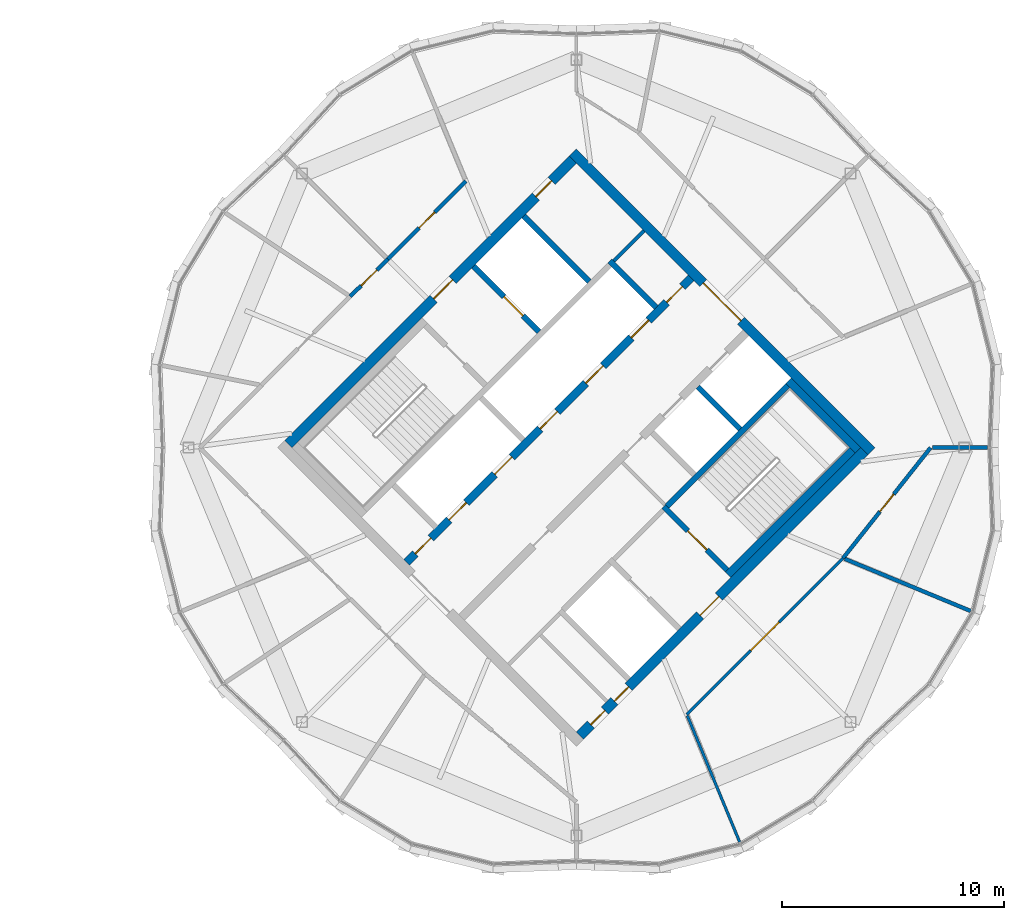
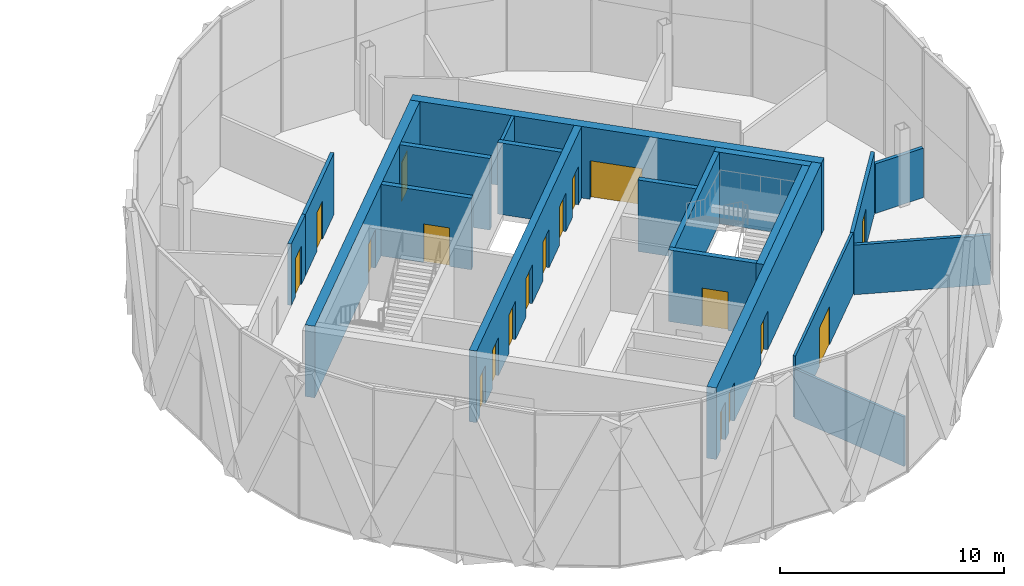
# One storey, part 19 of 24: 20 walls, 19 doors, 19 openings.
"""IFC4 building model written with IfcOpenShell, lengths in metres."""

from ifc_helpers import new_model, si_unit, direction, frame, frame_2d, origin, place, context, subcontext, project, spatial, rectangle, extrude, material, layer, layer_set, type_object, element, fill, save


model = new_model("IFC4")

# Units and contexts
model_context = context("Model", 3, precision=1e-05, world=origin(), true_north=direction((0.0, 1.0)))
body_context = subcontext(model_context, "Body", "Model", "MODEL_VIEW")
ifc_project = project(units=[si_unit("LENGTHUNIT", "METRE"), si_unit("AREAUNIT", "SQUARE_METRE"), si_unit("VOLUMEUNIT", "CUBIC_METRE"), si_unit("PLANEANGLEUNIT", "RADIAN"), si_unit("MASSUNIT", "GRAM", prefix="KILO")], contexts=[model_context])

# Site, building, storey
site_placement = place(None, origin())
site = spatial("IfcSite", under=ifc_project, at=site_placement, CompositionType="ELEMENT")
building_placement = place(site_placement, origin())
building = spatial("IfcBuilding", under=site, at=building_placement, Name="Ogive Gate Towers", CompositionType="ELEMENT")
storey_placement = place(building_placement, frame((0.0, 0.0, 277.199951171875)))
storey = spatial("IfcBuildingStorey", under=building, at=storey_placement, Name="L65", CompositionType="ELEMENT", Elevation=277.199951171875)

# Walls
ifc_material_1 = material(Name="Gypsum board acoustic partition")
ifc_layer_1 = layer(ifc_material_1, 0.175048828125)
ifc_layer_set_1 = layer_set([ifc_layer_1], Name="Acoustic partition 175")
wall_type_1 = type_object("IfcWallType", Name="Acoustic partition 175", PredefinedType="PARTITIONING", material=ifc_layer_set_1)
wall_1_placement = place(storey_placement, frame((54.509033203125, 0.0, 0.0), z_axis=(0.0, 0.0, 1.0), x_axis=(-1.0, 0.0, 0.0)))
element("IfcWall", 1, at=wall_1_placement, inside=storey, type_object=wall_type_1, Name="Partition T2-L65-001", PredefinedType="PARTITIONING", context=body_context, shape_type="SweptSolid", body=[
    extrude(rectangle(XDim=2.4814453125, YDim=0.175048828125, at=frame_2d((1.24072265625, 0.0))), origin(), (0.0, 0.0, 1.0), 2.699951171875),
])
wall_2_placement = place(storey_placement, frame((53.747802734375, -7.351318359375, 0.0), z_axis=(0.0, 0.0, 1.0), x_axis=(-0.923879494329, 0.382683524544, 0.0)))
element("IfcWall", 2, at=wall_2_placement, inside=storey, type_object=wall_type_1, Name="Partition T2-L65-015", PredefinedType="PARTITIONING", context=body_context, shape_type="SweptSolid", body=[
    extrude(rectangle(XDim=6.131591796875, YDim=0.175048828125, at=frame_2d((3.06591796875, 0.0))), origin(), (0.0, 0.0, 1.0), 2.699951171875),
])

# Wall, opening, door
wall_3_placement = place(storey_placement, frame((48.002197265625, -4.971435546875, 0.0), z_axis=(0.0, 0.0, 1.0), x_axis=(0.620922796932, 0.78387172436, 0.0)))
wall_3 = element("IfcWall", 3, at=wall_3_placement, inside=storey, type_object=wall_type_1, Name="Partition T2-L65-020", PredefinedType="PARTITIONING", context=body_context, shape_type="SweptSolid", body=[
    extrude(rectangle(XDim=6.342041015625, YDim=0.175048828125, at=frame_2d((3.1708984375, 0.0))), origin(), (0.0, 0.0, 1.0), 3.35009765625),
])
opening_1_placement = place(wall_3_placement, frame((2.6708984375, 0.0, 0.0)))
opening_1 = element("IfcOpeningElement", 4, at=opening_1_placement, cuts=wall_3, Name="Opening T2-L65-D05", PredefinedType="OPENING", context=body_context, shape_type="SweptSolid", body=[
    extrude(rectangle(XDim=1.0, YDim=2.10009765625, at=frame_2d((0.5, 1.050048828125))), frame((0.0, 0.09765625, 0.0), z_axis=(0.0, -1.0, 0.0), x_axis=(1.0, 0.0, 0.0)), (0.0, 0.0, 1.0), 0.195068359375),
])
ifc_material_2 = material(Name="Timber door", Category="wood")
door_type_1 = type_object("IfcDoorType", Name="Door 1000", OperationType="NOTDEFINED", PredefinedType="DOOR", material=ifc_material_2)
door_1_placement = place(opening_1_placement, origin())
door_1 = element("IfcDoor", 5, at=door_1_placement, inside=storey, type_object=door_type_1, Name="Door T2-L65-D05", OperationType="SINGLE_SWING_LEFT", OverallHeight=2.10009765625, OverallWidth=1.0, PredefinedType="DOOR", context=body_context, shape_type="SweptSolid", body=[
    extrude(rectangle(XDim=1.0, YDim=2.10009765625, at=frame_2d((0.5, 1.050048828125))), frame((0.0, 0.02490234375, 0.0), z_axis=(0.0, -1.0, 0.0), x_axis=(1.0, 0.0, 0.0)), (0.0, 0.0, 1.0), 0.050048828125),
])
fill(opening_1, door_1)

wall_4_placement = place(storey_placement, frame((31.028564453125, 12.002197265625, 0.0), z_axis=(0.0, 0.0, 1.0), x_axis=(-0.705385915656, -0.708823468851, 0.0)))
wall_4 = element("IfcWall", 6, at=wall_4_placement, inside=storey, type_object=wall_type_1, Name="Partition T2-L65-024", PredefinedType="PARTITIONING", context=body_context, shape_type="SweptSolid", body=[
    extrude(rectangle(XDim=4.971435546875, YDim=0.175048828125, at=frame_2d((2.48583984375, 0.0))), origin(), (0.0, 0.0, 1.0), 3.35009765625),
])
opening_2_placement = place(wall_4_placement, frame((1.986083984375, 0.0, 0.0)))
opening_2 = element("IfcOpeningElement", 7, at=opening_2_placement, cuts=wall_4, Name="Opening T2-L65-D09", PredefinedType="OPENING", context=body_context, shape_type="SweptSolid", body=[
    extrude(rectangle(XDim=1.0, YDim=2.10009765625, at=frame_2d((0.5, 1.050048828125))), frame((0.0, 0.09765625, 0.0), z_axis=(0.0, -1.0, 0.0), x_axis=(1.0, 0.0, 0.0)), (0.0, 0.0, 1.0), 0.195068359375),
])
door_2_placement = place(opening_2_placement, origin())
door_2 = element("IfcDoor", 8, at=door_2_placement, inside=storey, type_object=door_type_1, Name="Door T2-L65-D09", OperationType="SINGLE_SWING_LEFT", OverallHeight=2.10009765625, OverallWidth=1.0, PredefinedType="DOOR", context=body_context, shape_type="SweptSolid", body=[
    extrude(rectangle(XDim=1.0, YDim=2.10009765625, at=frame_2d((0.5, 1.050048828125))), frame((0.0, 0.02490234375, 0.0), z_axis=(0.0, -1.0, 0.0), x_axis=(1.0, 0.0, 0.0)), (0.0, 0.0, 1.0), 0.050048828125),
])
fill(opening_2, door_2)

wall_5_placement = place(storey_placement, frame((27.521728515625, 8.478271484375, 0.0), z_axis=(0.0, 0.0, 1.0), x_axis=(-0.711958025841, -0.702222022896, 0.0)))
wall_5 = element("IfcWall", 9, at=wall_5_placement, inside=storey, type_object=wall_type_1, Name="Partition T2-L65-025", PredefinedType="PARTITIONING", context=body_context, shape_type="SweptSolid", body=[
    extrude(rectangle(XDim=2.38232421875, YDim=0.175048828125, at=frame_2d((1.191162109375, 0.0))), origin(), (0.0, 0.0, 1.0), 3.35009765625),
])
opening_3_placement = place(wall_5_placement, frame((0.69091796875, 0.0, 0.0)))
opening_3 = element("IfcOpeningElement", 10, at=opening_3_placement, cuts=wall_5, Name="Opening T2-L65-D10", PredefinedType="OPENING", context=body_context, shape_type="SweptSolid", body=[
    extrude(rectangle(XDim=1.0, YDim=2.10009765625, at=frame_2d((0.5, 1.050048828125))), frame((0.0, 0.09765625, 0.0), z_axis=(0.0, -1.0, 0.0), x_axis=(1.0, 0.0, 0.0)), (0.0, 0.0, 1.0), 0.195068359375),
])
door_3_placement = place(opening_3_placement, origin())
door_3 = element("IfcDoor", 11, at=door_3_placement, inside=storey, type_object=door_type_1, Name="Door T2-L65-D10", OperationType="SINGLE_SWING_LEFT", OverallHeight=2.10009765625, OverallWidth=1.0, PredefinedType="DOOR", context=body_context, shape_type="SweptSolid", body=[
    extrude(rectangle(XDim=1.0, YDim=2.10009765625, at=frame_2d((0.5, 1.050048828125))), frame((0.0, 0.02490234375, 0.0), z_axis=(0.0, -1.0, 0.0), x_axis=(1.0, 0.0, 0.0)), (0.0, 0.0, 1.0), 0.050048828125),
])
fill(opening_3, door_3)

# Wall, openings, doors
ifc_material_3 = material(Name="Concrete C60/75", Category="concrete")
ifc_layer_2 = layer(ifc_material_3, 0.449951171875)
ifc_layer_set_2 = layer_set([ifc_layer_2], Name="Core wall 450 mm")
wall_type_2 = type_object("IfcWallType", Name="Core wall 450 mm", PredefinedType="SHEAR", material=ifc_layer_set_2)
wall_6_placement = place(storey_placement, frame((36.1591796875, -12.957763671875, 0.0), z_axis=(0.0, 0.0, 1.0), x_axis=(0.707106781187, 0.707106781187, 0.0)))
wall_6 = element("IfcWall", 12, at=wall_6_placement, inside=storey, type_object=wall_type_2, Name="T2 L65 Core wall 450 mm", PredefinedType="SHEAR", context=body_context, shape_type="SweptSolid", body=[
    extrude(rectangle(XDim=18.099853515625, YDim=0.449951171875, at=frame_2d((9.0498046875, 0.0))), origin(), (0.0, 0.0, 1.0), 3.900146484375),
])
opening_4_placement = place(wall_6_placement, frame((7.64990234375, 0.0, 0.0)))
opening_4 = element("IfcOpeningElement", 13, at=opening_4_placement, cuts=wall_6, Name="Opening KD-T2-L65-19", PredefinedType="OPENING", context=body_context, shape_type="SweptSolid", body=[
    extrude(rectangle(XDim=1.199951171875, YDim=2.10009765625, at=frame_2d((0.60009765625, 1.050048828125))), frame((0.0, 0.23486328125, 0.0), z_axis=(0.0, -1.0, 0.0), x_axis=(1.0, 0.0, 0.0)), (0.0, 0.0, 1.0), 0.469970703125),
])
opening_5_placement = place(wall_6_placement, frame((0.699951171875, 0.0, 0.0)))
opening_5 = element("IfcOpeningElement", 14, at=opening_5_placement, cuts=wall_6, Name="Opening KD-T2-L65-21", PredefinedType="OPENING", context=body_context, shape_type="SweptSolid", body=[
    extrude(rectangle(XDim=0.89990234375, YDim=2.10009765625, at=frame_2d((0.449951171875, 1.050048828125))), frame((0.0, 0.23486328125, 0.0), z_axis=(0.0, -1.0, 0.0), x_axis=(1.0, 0.0, 0.0)), (0.0, 0.0, 1.0), 0.469970703125),
])
opening_6_placement = place(wall_6_placement, frame((2.199951171875, 0.0, 0.0)))
opening_6 = element("IfcOpeningElement", 15, at=opening_6_placement, cuts=wall_6, Name="Opening KD-T2-L65-22", PredefinedType="OPENING", context=body_context, shape_type="SweptSolid", body=[
    extrude(rectangle(XDim=0.89990234375, YDim=2.10009765625, at=frame_2d((0.449951171875, 1.050048828125))), frame((0.0, 0.23486328125, 0.0), z_axis=(0.0, -1.0, 0.0), x_axis=(1.0, 0.0, 0.0)), (0.0, 0.0, 1.0), 0.469970703125),
])
door_type_2 = type_object("IfcDoorType", Name="Core WC door 900 x 2100", OperationType="NOTDEFINED", PredefinedType="DOOR", material=ifc_material_2)
door_4_placement = place(opening_5_placement, origin())
door_4 = element("IfcDoor", 16, at=door_4_placement, inside=storey, type_object=door_type_2, Name="T2 L65 Core door", OperationType="SINGLE_SWING_RIGHT", OverallHeight=2.10009765625, OverallWidth=0.89990234375, PredefinedType="DOOR", context=body_context, shape_type="SweptSolid", body=[
    extrude(rectangle(XDim=0.89990234375, YDim=2.10009765625, at=frame_2d((0.449951171875, 1.050048828125))), frame((0.0, 0.02490234375, 0.0), z_axis=(0.0, -1.0, 0.0), x_axis=(1.0, 0.0, 0.0)), (0.0, 0.0, 1.0), 0.050048828125),
])
fill(opening_5, door_4)
door_5_placement = place(opening_6_placement, origin())
door_5 = element("IfcDoor", 17, at=door_5_placement, inside=storey, type_object=door_type_2, Name="T2 L65 Core door", OperationType="SINGLE_SWING_LEFT", OverallHeight=2.10009765625, OverallWidth=0.89990234375, PredefinedType="DOOR", context=body_context, shape_type="SweptSolid", body=[
    extrude(rectangle(XDim=0.89990234375, YDim=2.10009765625, at=frame_2d((0.449951171875, 1.050048828125))), frame((0.0, 0.02490234375, 0.0), z_axis=(0.0, -1.0, 0.0), x_axis=(1.0, 0.0, 0.0)), (0.0, 0.0, 1.0), 0.050048828125),
])
fill(opening_6, door_5)
ifc_material_4 = material(Name="Steel fire door", Category="steel")
door_type_3 = type_object("IfcDoorType", Name="Core door FD60S 1200 x 2100", OperationType="NOTDEFINED", PredefinedType="DOOR", material=ifc_material_4)
door_6_placement = place(opening_4_placement, origin())
door_6 = element("IfcDoor", 18, at=door_6_placement, inside=storey, type_object=door_type_3, Name="T2 L65 Fire-fighting lobby door", OperationType="SINGLE_SWING_RIGHT", OverallHeight=2.10009765625, OverallWidth=1.199951171875, PredefinedType="DOOR", context=body_context, shape_type="SweptSolid", body=[
    extrude(rectangle(XDim=1.199951171875, YDim=2.10009765625, at=frame_2d((0.60009765625, 1.050048828125))), frame((0.0, 0.02490234375, 0.0), z_axis=(0.0, -1.0, 0.0), x_axis=(1.0, 0.0, 0.0)), (0.0, 0.0, 1.0), 0.050048828125),
])
fill(opening_4, door_6)

wall_7_placement = place(storey_placement, frame((23.042236328125, 0.1591796875, 0.0), z_axis=(0.0, 0.0, 1.0), x_axis=(0.707106781187, 0.707106781187, 0.0)))
wall_7 = element("IfcWall", 19, at=wall_7_placement, inside=storey, type_object=wall_type_2, Name="T2 L65 Core wall 450 mm", PredefinedType="SHEAR", context=body_context, shape_type="SweptSolid", body=[
    extrude(rectangle(XDim=18.099853515625, YDim=0.449951171875, at=frame_2d((9.0498046875, 0.0))), origin(), (0.0, 0.0, 1.0), 3.900146484375),
])
opening_7_placement = place(wall_7_placement, frame((9.25, 0.0, 0.0)))
opening_7 = element("IfcOpeningElement", 20, at=opening_7_placement, cuts=wall_7, Name="Opening KD-T2-L65-18", PredefinedType="OPENING", context=body_context, shape_type="SweptSolid", body=[
    extrude(rectangle(XDim=1.199951171875, YDim=2.10009765625, at=frame_2d((0.60009765625, 1.050048828125))), frame((0.0, 0.23486328125, 0.0), z_axis=(0.0, -1.0, 0.0), x_axis=(1.0, 0.0, 0.0)), (0.0, 0.0, 1.0), 0.469970703125),
])
opening_8_placement = place(wall_7_placement, frame((15.75, 0.0, 0.0)))
opening_8 = element("IfcOpeningElement", 21, at=opening_8_placement, cuts=wall_7, Name="Opening KD-T2-L65-20", PredefinedType="OPENING", context=body_context, shape_type="SweptSolid", body=[
    extrude(rectangle(XDim=1.0, YDim=2.10009765625, at=frame_2d((0.5, 1.050048828125))), frame((0.0, 0.23486328125, 0.0), z_axis=(0.0, -1.0, 0.0), x_axis=(1.0, 0.0, 0.0)), (0.0, 0.0, 1.0), 0.469970703125),
])
door_type_4 = type_object("IfcDoorType", Name="Accessible WC door 1000 x 2100", OperationType="NOTDEFINED", PredefinedType="DOOR", material=ifc_material_2)
door_7_placement = place(opening_8_placement, origin())
door_7 = element("IfcDoor", 22, at=door_7_placement, inside=storey, type_object=door_type_4, Name="T2 L65 Core door", OperationType="SINGLE_SWING_LEFT", OverallHeight=2.10009765625, OverallWidth=1.0, PredefinedType="DOOR", context=body_context, shape_type="SweptSolid", body=[
    extrude(rectangle(XDim=1.0, YDim=2.10009765625, at=frame_2d((0.5, 1.050048828125))), frame((0.0, 0.02490234375, 0.0), z_axis=(0.0, -1.0, 0.0), x_axis=(1.0, 0.0, 0.0)), (0.0, 0.0, 1.0), 0.050048828125),
])
fill(opening_8, door_7)
door_8_placement = place(opening_7_placement, origin())
door_8 = element("IfcDoor", 23, at=door_8_placement, inside=storey, type_object=door_type_3, Name="T2 L65 Fire-fighting lobby door", OperationType="SINGLE_SWING_LEFT", OverallHeight=2.10009765625, OverallWidth=1.199951171875, PredefinedType="DOOR", context=body_context, shape_type="SweptSolid", body=[
    extrude(rectangle(XDim=1.199951171875, YDim=2.10009765625, at=frame_2d((0.60009765625, 1.050048828125))), frame((0.0, 0.02490234375, 0.0), z_axis=(0.0, -1.0, 0.0), x_axis=(1.0, 0.0, 0.0)), (0.0, 0.0, 1.0), 0.050048828125),
])
fill(opening_7, door_8)

# Wall, opening, door
wall_8_placement = place(storey_placement, frame((49.27587890625, -0.1591796875, 0.0), z_axis=(0.0, 0.0, 1.0), x_axis=(-0.707106781187, 0.707106781187, 0.0)))
wall_8 = element("IfcWall", 24, at=wall_8_placement, inside=storey, type_object=wall_type_2, Name="T2 L65 Core wall 450 mm", PredefinedType="SHEAR", context=body_context, shape_type="SweptSolid", body=[
    extrude(rectangle(XDim=19.0, YDim=0.449951171875, at=frame_2d((9.5, 0.0))), origin(), (0.0, 0.0, 1.0), 3.900146484375),
])
opening_9_placement = place(wall_8_placement, frame((8.300048828125, 0.0, 0.0)))
opening_9 = element("IfcOpeningElement", 25, at=opening_9_placement, cuts=wall_8, Name="Opening KD-T2-L65-02", PredefinedType="OPENING", context=body_context, shape_type="SweptSolid", body=[
    extrude(rectangle(XDim=2.39990234375, YDim=2.10009765625, at=frame_2d((1.199951171875, 1.050048828125))), frame((0.0, 0.23486328125, 0.0), z_axis=(0.0, -1.0, 0.0), x_axis=(1.0, 0.0, 0.0)), (0.0, 0.0, 1.0), 0.469970703125),
])
door_type_5 = type_object("IfcDoorType", Name="Core double door FD60S 2400 x 2100", OperationType="DOUBLE_DOOR_SINGLE_SWING", PredefinedType="DOOR", material=ifc_material_4)
door_9_placement = place(opening_9_placement, origin())
door_9 = element("IfcDoor", 26, at=door_9_placement, inside=storey, type_object=door_type_5, Name="T2 L65 Core door double", OperationType="DOUBLE_DOOR_SINGLE_SWING", OverallHeight=2.10009765625, OverallWidth=2.39990234375, PredefinedType="DOOR", context=body_context, shape_type="SweptSolid", body=[
    extrude(rectangle(XDim=2.39990234375, YDim=2.10009765625, at=frame_2d((1.199951171875, 1.050048828125))), frame((0.0, 0.02490234375, 0.0), z_axis=(0.0, -1.0, 0.0), x_axis=(1.0, 0.0, 0.0)), (0.0, 0.0, 1.0), 0.050048828125),
])
fill(opening_9, door_9)

# Wall
ifc_material_5 = material(Name="Gypsum board partition")
ifc_layer_3 = layer(ifc_material_5, 0.125)
ifc_layer_set_3 = layer_set([ifc_layer_3], Name="Partition 125")
wall_type_3 = type_object("IfcWallType", Name="Partition 125", PredefinedType="PARTITIONING", material=ifc_layer_set_3)
wall_9_placement = place(storey_placement, frame((43.351318359375, -17.747802734375, 0.0), z_axis=(0.0, 0.0, 1.0), x_axis=(-0.382685687972, 0.923878598205, 0.0)))
element("IfcWall", 27, at=wall_9_placement, inside=storey, type_object=wall_type_3, Name="Partition T2-L65-014", PredefinedType="PARTITIONING", context=body_context, shape_type="SweptSolid", body=[
    extrude(rectangle(XDim=6.156494140625, YDim=0.125, at=frame_2d((3.078125, 0.0))), origin(), (0.0, 0.0, 1.0), 2.699951171875),
])

# Wall, opening, door
wall_10_placement = place(storey_placement, frame((40.971435546875, -12.002197265625, 0.0), z_axis=(0.0, 0.0, 1.0), x_axis=(0.707106781187, 0.707106781187, 0.0)))
wall_10 = element("IfcWall", 28, at=wall_10_placement, inside=storey, type_object=wall_type_3, Name="Partition T2-L65-019", PredefinedType="PARTITIONING", context=body_context, shape_type="SweptSolid", body=[
    extrude(rectangle(XDim=9.943115234375, YDim=0.125, at=frame_2d((4.9716796875, 0.0))), origin(), (0.0, 0.0, 1.0), 3.35009765625),
])
opening_10_placement = place(wall_10_placement, frame((4.071044921875, 0.0, 0.0)))
opening_10 = element("IfcOpeningElement", 29, at=opening_10_placement, cuts=wall_10, Name="Opening T2-L65-D04", PredefinedType="OPENING", context=body_context, shape_type="SweptSolid", body=[
    extrude(rectangle(XDim=1.800048828125, YDim=2.10009765625, at=frame_2d((0.89990234375, 1.050048828125))), frame((0.0, 0.072509765625, 0.0), z_axis=(0.0, -1.0, 0.0), x_axis=(1.0, 0.0, 0.0)), (0.0, 0.0, 1.0), 0.14501953125),
])
door_type_6 = type_object("IfcDoorType", Name="Door pair 1800", OperationType="NOTDEFINED", PredefinedType="DOOR", material=ifc_material_2)
door_10_placement = place(opening_10_placement, origin())
door_10 = element("IfcDoor", 30, at=door_10_placement, inside=storey, type_object=door_type_6, Name="Door T2-L65-D04", OperationType="DOUBLE_DOOR_DOUBLE_SWING", OverallHeight=2.10009765625, OverallWidth=1.800048828125, PredefinedType="DOOR", context=body_context, shape_type="SweptSolid", body=[
    extrude(rectangle(XDim=1.800048828125, YDim=2.10009765625, at=frame_2d((0.89990234375, 1.050048828125))), frame((0.0, 0.02490234375, 0.0), z_axis=(0.0, -1.0, 0.0), x_axis=(1.0, 0.0, 0.0)), (0.0, 0.0, 1.0), 0.050048828125),
])
fill(opening_10, door_10)

# Walls
ifc_layer_4 = layer(ifc_material_5, 0.14990234375)
ifc_layer_set_4 = layer_set([ifc_layer_4], Name="Room partition 150 mm")
wall_type_4 = type_object("IfcWallType", Name="Room partition 150 mm", PredefinedType="PARTITIONING", material=ifc_layer_set_4)
wall_11_placement = place(storey_placement, frame((37.679443359375, 8.39697265625, 0.0), z_axis=(0.0, 0.0, 1.0), x_axis=(0.707106781187, 0.707106781187, 0.0)))
element("IfcWall", 31, at=wall_11_placement, inside=storey, type_object=wall_type_4, Name="T2 L65 Room partition 150 mm", PredefinedType="PARTITIONING", context=body_context, shape_type="SweptSolid", body=[
    extrude(rectangle(XDim=1.9248046875, YDim=0.14990234375, at=frame_2d((0.96240234375, 0.0))), origin(), (0.0, 0.0, 1.0), 3.900146484375),
])
ifc_layer_5 = layer(ifc_material_3, 0.25)
ifc_layer_set_5 = layer_set([ifc_layer_5], Name="Shaft wall 250 mm")
wall_type_5 = type_object("IfcWallType", Name="Shaft wall 250 mm", PredefinedType="SHEAR", material=ifc_layer_set_5)
wall_12_placement = place(storey_placement, frame((40.08349609375, -2.634033203125, 0.0), z_axis=(0.0, 0.0, 1.0), x_axis=(0.707090876314, 0.707122685701, 0.0)))
element("IfcWall", 32, at=wall_12_placement, inside=storey, type_object=wall_type_5, Name="T2 L65 Shaft wall 250 mm", PredefinedType="SHEAR", context=body_context, shape_type="SweptSolid", body=[
    extrude(rectangle(XDim=7.675048828125, YDim=0.25, at=frame_2d((3.83740234375, 0.0))), origin(), (0.0, 0.0, 1.0), 3.900146484375),
])

# Wall, opening, door
wall_13_placement = place(storey_placement, frame((42.7880859375, -5.515380859375, 0.0), z_axis=(0.0, 0.0, 1.0), x_axis=(-0.707106781187, 0.707106781187, 0.0)))
wall_13 = element("IfcWall", 33, at=wall_13_placement, inside=storey, type_object=wall_type_5, Name="T2 L65 Shaft wall 250 mm", PredefinedType="SHEAR", context=body_context, shape_type="SweptSolid", body=[
    extrude(rectangle(XDim=4.050048828125, YDim=0.25, at=frame_2d((2.02490234375, 0.0))), origin(), (0.0, 0.0, 1.0), 3.900146484375),
])
opening_11_placement = place(wall_13_placement, frame((1.300048828125, 0.0, 0.0)))
opening_11 = element("IfcOpeningElement", 34, at=opening_11_placement, cuts=wall_13, Name="Opening KD-T2-L65-17", PredefinedType="OPENING", context=body_context, shape_type="SweptSolid", body=[
    extrude(rectangle(XDim=1.199951171875, YDim=2.10009765625, at=frame_2d((0.60009765625, 1.050048828125))), frame((0.0, 0.135009765625, 0.0), z_axis=(0.0, -1.0, 0.0), x_axis=(1.0, 0.0, 0.0)), (0.0, 0.0, 1.0), 0.27001953125),
])
door_11_placement = place(opening_11_placement, origin())
door_11 = element("IfcDoor", 35, at=door_11_placement, inside=storey, type_object=door_type_3, Name="T2 L65 Stair door", OperationType="SINGLE_SWING_RIGHT", OverallHeight=2.10009765625, OverallWidth=1.199951171875, PredefinedType="DOOR", context=body_context, shape_type="SweptSolid", body=[
    extrude(rectangle(XDim=1.199951171875, YDim=2.10009765625, at=frame_2d((0.60009765625, 1.050048828125))), frame((0.0, 0.02490234375, 0.0), z_axis=(0.0, -1.0, 0.0), x_axis=(1.0, 0.0, 0.0)), (0.0, 0.0, 1.0), 0.050048828125),
])
fill(opening_11, door_11)

wall_14_placement = place(storey_placement, frame((34.320556640625, 5.21484375, 0.0), z_axis=(0.0, 0.0, 1.0), x_axis=(-0.707106781187, 0.707106781187, 0.0)))
wall_14 = element("IfcWall", 36, at=wall_14_placement, inside=storey, type_object=wall_type_5, Name="T2 L65 Shaft wall 250 mm", PredefinedType="SHEAR", context=body_context, shape_type="SweptSolid", body=[
    extrude(rectangle(XDim=4.175048828125, YDim=0.25, at=frame_2d((2.08740234375, 0.0))), origin(), (0.0, 0.0, 1.0), 3.900146484375),
])
opening_12_placement = place(wall_14_placement, frame((1.02490234375, 0.0, 0.0)))
opening_12 = element("IfcOpeningElement", 37, at=opening_12_placement, cuts=wall_14, Name="Opening LD-T2-L65-12", PredefinedType="OPENING", context=body_context, shape_type="SweptSolid", body=[
    extrude(rectangle(XDim=1.199951171875, YDim=2.10009765625, at=frame_2d((0.60009765625, 1.050048828125))), frame((0.0, 0.135009765625, 0.0), z_axis=(0.0, -1.0, 0.0), x_axis=(1.0, 0.0, 0.0)), (0.0, 0.0, 1.0), 0.27001953125),
])
ifc_material_6 = material(Name="Stainless steel landing door", Category="steel")
door_type_7 = type_object("IfcDoorType", Name="Landing door 1200 x 2100", OperationType="SLIDING_TO_LEFT", PredefinedType="DOOR", material=ifc_material_6)
door_12_placement = place(opening_12_placement, origin())
door_12 = element("IfcDoor", 38, at=door_12_placement, inside=storey, type_object=door_type_7, Name="T2 L65 Lift landing door FF1", OperationType="SLIDING_TO_LEFT", OverallHeight=2.10009765625, OverallWidth=1.199951171875, PredefinedType="DOOR", context=body_context, shape_type="SweptSolid", body=[
    extrude(rectangle(XDim=1.199951171875, YDim=2.10009765625, at=frame_2d((0.60009765625, 1.050048828125))), frame((0.0, 0.02490234375, 0.0), z_axis=(0.0, -1.0, 0.0), x_axis=(1.0, 0.0, 0.0)), (0.0, 0.0, 1.0), 0.050048828125),
])
fill(opening_12, door_12)

# Walls
wall_15_placement = place(storey_placement, frame((36.58349609375, 7.477783203125, 0.0), z_axis=(0.0, 0.0, 1.0), x_axis=(-0.707165256008, 0.707048301529, 0.0)))
element("IfcWall", 39, at=wall_15_placement, inside=storey, type_object=wall_type_5, Name="T2 L65 Shaft wall 250 mm", PredefinedType="SHEAR", context=body_context, shape_type="SweptSolid", body=[
    extrude(rectangle(XDim=4.175048828125, YDim=0.25, at=frame_2d((2.08740234375, 0.0))), origin(), (0.0, 0.0, 1.0), 3.900146484375),
])
wall_16_placement = place(storey_placement, frame((43.37158203125, 0.830810546875, 0.0), z_axis=(0.0, 0.0, 1.0), x_axis=(-0.707106781187, 0.707106781187, 0.0)))
element("IfcWall", 40, at=wall_16_placement, inside=storey, type_object=wall_type_5, Name="T2 L65 Shaft wall 250 mm", PredefinedType="SHEAR", context=body_context, shape_type="SweptSolid", body=[
    extrude(rectangle(XDim=2.699951171875, YDim=0.25, at=frame_2d((1.35009765625, 0.0))), origin(), (0.0, 0.0, 1.0), 3.900146484375),
])
wall_17_placement = place(storey_placement, frame((39.588623046875, 6.310791015625, 0.0), z_axis=(0.0, 0.0, 1.0), x_axis=(-0.707065402085, 0.707148157867, 0.0)))
element("IfcWall", 41, at=wall_17_placement, inside=storey, type_object=wall_type_5, Name="T2 L65 Shaft wall 250 mm", PredefinedType="SHEAR", context=body_context, shape_type="SweptSolid", body=[
    extrude(rectangle(XDim=2.9501953125, YDim=0.25, at=frame_2d((1.47509765625, 0.0))), origin(), (0.0, 0.0, 1.0), 3.900146484375),
])

# Wall, openings, doors
ifc_layer_6 = layer(ifc_material_3, 0.35009765625)
ifc_layer_set_6 = layer_set([ifc_layer_6], Name="Spine wall 350 mm")
wall_type_6 = type_object("IfcWallType", Name="Spine wall 350 mm", PredefinedType="SHEAR", material=ifc_layer_set_6)
wall_18_placement = place(storey_placement, frame((28.36328125, -5.161865234375, 0.0), z_axis=(0.0, 0.0, 1.0), x_axis=(0.707106781187, 0.707106781187, 0.0)))
wall_18 = element("IfcWall", 42, at=wall_18_placement, inside=storey, type_object=wall_type_6, Name="T2 L65 Spine wall 350 mm", PredefinedType="SHEAR", context=body_context, shape_type="SweptSolid", body=[
    extrude(rectangle(XDim=18.099853515625, YDim=0.35009765625, at=frame_2d((9.0498046875, 0.0))), origin(), (0.0, 0.0, 1.0), 3.900146484375),
])
opening_13_placement = place(wall_18_placement, frame((0.550048828125, 0.0, 0.0)))
opening_13 = element("IfcOpeningElement", 43, at=opening_13_placement, cuts=wall_18, Name="Opening KD-T2-L65-03", PredefinedType="OPENING", context=body_context, shape_type="SweptSolid", body=[
    extrude(rectangle(XDim=1.0, YDim=2.10009765625, at=frame_2d((0.5, 1.050048828125))), frame((0.0, 0.18505859375, 0.0), z_axis=(0.0, -1.0, 0.0), x_axis=(1.0, 0.0, 0.0)), (0.0, 0.0, 1.0), 0.3701171875),
])
opening_14_placement = place(wall_18_placement, frame((2.699951171875, 0.0, 0.0)))
opening_14 = element("IfcOpeningElement", 44, at=opening_14_placement, cuts=wall_18, Name="Opening LD-T2-L65-04", PredefinedType="OPENING", context=body_context, shape_type="SweptSolid", body=[
    extrude(rectangle(XDim=1.10009765625, YDim=2.10009765625, at=frame_2d((0.550048828125, 1.050048828125))), frame((0.0, 0.18505859375, 0.0), z_axis=(0.0, -1.0, 0.0), x_axis=(1.0, 0.0, 0.0)), (0.0, 0.0, 1.0), 0.3701171875),
])
opening_15_placement = place(wall_18_placement, frame((5.60009765625, 0.0, 0.0)))
opening_15 = element("IfcOpeningElement", 45, at=opening_15_placement, cuts=wall_18, Name="Opening LD-T2-L65-05", PredefinedType="OPENING", context=body_context, shape_type="SweptSolid", body=[
    extrude(rectangle(XDim=1.10009765625, YDim=2.10009765625, at=frame_2d((0.550048828125, 1.050048828125))), frame((0.0, 0.18505859375, 0.0), z_axis=(0.0, -1.0, 0.0), x_axis=(1.0, 0.0, 0.0)), (0.0, 0.0, 1.0), 0.3701171875),
])
opening_16_placement = place(wall_18_placement, frame((8.5, 0.0, 0.0)))
opening_16 = element("IfcOpeningElement", 46, at=opening_16_placement, cuts=wall_18, Name="Opening LD-T2-L65-06", PredefinedType="OPENING", context=body_context, shape_type="SweptSolid", body=[
    extrude(rectangle(XDim=1.10009765625, YDim=2.10009765625, at=frame_2d((0.550048828125, 1.050048828125))), frame((0.0, 0.18505859375, 0.0), z_axis=(0.0, -1.0, 0.0), x_axis=(1.0, 0.0, 0.0)), (0.0, 0.0, 1.0), 0.3701171875),
])
opening_17_placement = place(wall_18_placement, frame((11.39990234375, 0.0, 0.0)))
opening_17 = element("IfcOpeningElement", 47, at=opening_17_placement, cuts=wall_18, Name="Opening LD-T2-L65-07", PredefinedType="OPENING", context=body_context, shape_type="SweptSolid", body=[
    extrude(rectangle(XDim=1.10009765625, YDim=2.10009765625, at=frame_2d((0.550048828125, 1.050048828125))), frame((0.0, 0.18505859375, 0.0), z_axis=(0.0, -1.0, 0.0), x_axis=(1.0, 0.0, 0.0)), (0.0, 0.0, 1.0), 0.3701171875),
])
opening_18_placement = place(wall_18_placement, frame((14.300048828125, 0.0, 0.0)))
opening_18 = element("IfcOpeningElement", 48, at=opening_18_placement, cuts=wall_18, Name="Opening LD-T2-L65-08", PredefinedType="OPENING", context=body_context, shape_type="SweptSolid", body=[
    extrude(rectangle(XDim=1.10009765625, YDim=2.10009765625, at=frame_2d((0.550048828125, 1.050048828125))), frame((0.0, 0.18505859375, 0.0), z_axis=(0.0, -1.0, 0.0), x_axis=(1.0, 0.0, 0.0)), (0.0, 0.0, 1.0), 0.3701171875),
])
opening_19_placement = place(wall_18_placement, frame((16.550048828125, 0.0, 0.0)))
opening_19 = element("IfcOpeningElement", 49, at=opening_19_placement, cuts=wall_18, Name="Opening KD-T2-L65-09", PredefinedType="OPENING", context=body_context, shape_type="SweptSolid", body=[
    extrude(rectangle(XDim=1.0, YDim=2.10009765625, at=frame_2d((0.5, 1.050048828125))), frame((0.0, 0.18505859375, 0.0), z_axis=(0.0, -1.0, 0.0), x_axis=(1.0, 0.0, 0.0)), (0.0, 0.0, 1.0), 0.3701171875),
])
door_type_8 = type_object("IfcDoorType", Name="Core door FD60S 1000 x 2100", OperationType="NOTDEFINED", PredefinedType="DOOR", material=ifc_material_4)
door_13_placement = place(opening_13_placement, origin())
door_13 = element("IfcDoor", 50, at=door_13_placement, inside=storey, type_object=door_type_8, Name="T2 L65 Core door", OperationType="SINGLE_SWING_RIGHT", OverallHeight=2.10009765625, OverallWidth=1.0, PredefinedType="DOOR", context=body_context, shape_type="SweptSolid", body=[
    extrude(rectangle(XDim=1.0, YDim=2.10009765625, at=frame_2d((0.5, 1.050048828125))), frame((0.0, 0.02490234375, 0.0), z_axis=(0.0, -1.0, 0.0), x_axis=(1.0, 0.0, 0.0)), (0.0, 0.0, 1.0), 0.050048828125),
])
fill(opening_13, door_13)
door_14_placement = place(opening_19_placement, origin())
door_14 = element("IfcDoor", 51, at=door_14_placement, inside=storey, type_object=door_type_8, Name="T2 L65 Core door", OperationType="SINGLE_SWING_RIGHT", OverallHeight=2.10009765625, OverallWidth=1.0, PredefinedType="DOOR", context=body_context, shape_type="SweptSolid", body=[
    extrude(rectangle(XDim=1.0, YDim=2.10009765625, at=frame_2d((0.5, 1.050048828125))), frame((0.0, 0.02490234375, 0.0), z_axis=(0.0, -1.0, 0.0), x_axis=(1.0, 0.0, 0.0)), (0.0, 0.0, 1.0), 0.050048828125),
])
fill(opening_19, door_14)
door_type_9 = type_object("IfcDoorType", Name="Landing door 1100 x 2100", OperationType="SLIDING_TO_LEFT", PredefinedType="DOOR", material=ifc_material_6)
door_15_placement = place(opening_14_placement, origin())
door_15 = element("IfcDoor", 52, at=door_15_placement, inside=storey, type_object=door_type_9, Name="T2 L65 Lift landing door B1", OperationType="SLIDING_TO_LEFT", OverallHeight=2.10009765625, OverallWidth=1.10009765625, PredefinedType="DOOR", context=body_context, shape_type="SweptSolid", body=[
    extrude(rectangle(XDim=1.10009765625, YDim=2.10009765625, at=frame_2d((0.550048828125, 1.050048828125))), frame((0.0, 0.02490234375, 0.0), z_axis=(0.0, -1.0, 0.0), x_axis=(1.0, 0.0, 0.0)), (0.0, 0.0, 1.0), 0.050048828125),
])
fill(opening_14, door_15)
door_16_placement = place(opening_15_placement, origin())
door_16 = element("IfcDoor", 53, at=door_16_placement, inside=storey, type_object=door_type_9, Name="T2 L65 Lift landing door B2", OperationType="SLIDING_TO_LEFT", OverallHeight=2.10009765625, OverallWidth=1.10009765625, PredefinedType="DOOR", context=body_context, shape_type="SweptSolid", body=[
    extrude(rectangle(XDim=1.10009765625, YDim=2.10009765625, at=frame_2d((0.550048828125, 1.050048828125))), frame((0.0, 0.02490234375, 0.0), z_axis=(0.0, -1.0, 0.0), x_axis=(1.0, 0.0, 0.0)), (0.0, 0.0, 1.0), 0.050048828125),
])
fill(opening_15, door_16)
door_17_placement = place(opening_16_placement, origin())
door_17 = element("IfcDoor", 54, at=door_17_placement, inside=storey, type_object=door_type_9, Name="T2 L65 Lift landing door B3", OperationType="SLIDING_TO_LEFT", OverallHeight=2.10009765625, OverallWidth=1.10009765625, PredefinedType="DOOR", context=body_context, shape_type="SweptSolid", body=[
    extrude(rectangle(XDim=1.10009765625, YDim=2.10009765625, at=frame_2d((0.550048828125, 1.050048828125))), frame((0.0, 0.02490234375, 0.0), z_axis=(0.0, -1.0, 0.0), x_axis=(1.0, 0.0, 0.0)), (0.0, 0.0, 1.0), 0.050048828125),
])
fill(opening_16, door_17)
door_18_placement = place(opening_17_placement, origin())
door_18 = element("IfcDoor", 55, at=door_18_placement, inside=storey, type_object=door_type_9, Name="T2 L65 Lift landing door B4", OperationType="SLIDING_TO_LEFT", OverallHeight=2.10009765625, OverallWidth=1.10009765625, PredefinedType="DOOR", context=body_context, shape_type="SweptSolid", body=[
    extrude(rectangle(XDim=1.10009765625, YDim=2.10009765625, at=frame_2d((0.550048828125, 1.050048828125))), frame((0.0, 0.02490234375, 0.0), z_axis=(0.0, -1.0, 0.0), x_axis=(1.0, 0.0, 0.0)), (0.0, 0.0, 1.0), 0.050048828125),
])
fill(opening_17, door_18)
door_19_placement = place(opening_18_placement, origin())
door_19 = element("IfcDoor", 56, at=door_19_placement, inside=storey, type_object=door_type_9, Name="T2 L65 Lift landing door B5", OperationType="SLIDING_TO_LEFT", OverallHeight=2.10009765625, OverallWidth=1.10009765625, PredefinedType="DOOR", context=body_context, shape_type="SweptSolid", body=[
    extrude(rectangle(XDim=1.10009765625, YDim=2.10009765625, at=frame_2d((0.550048828125, 1.050048828125))), frame((0.0, 0.02490234375, 0.0), z_axis=(0.0, -1.0, 0.0), x_axis=(1.0, 0.0, 0.0)), (0.0, 0.0, 1.0), 0.050048828125),
])
fill(opening_18, door_19)

# Walls
ifc_layer_7 = layer(ifc_material_3, 0.35009765625)
ifc_layer_set_7 = layer_set([ifc_layer_7], Name="Stair wall 350 mm")
wall_type_7 = type_object("IfcWallType", Name="Stair wall 350 mm", PredefinedType="SHEAR", material=ifc_layer_set_7)
wall_19_placement = place(storey_placement, frame((42.823486328125, -5.7275390625, 0.0), z_axis=(0.0, 0.0, 1.0), x_axis=(0.707122184046, 0.707091377991, 0.0)))
element("IfcWall", 57, at=wall_19_placement, inside=storey, type_object=wall_type_7, Name="T2 L65 Stair wall 350 mm", PredefinedType="SHEAR", context=body_context, shape_type="SweptSolid", body=[
    extrude(rectangle(XDim=7.925048828125, YDim=0.35009765625, at=frame_2d((3.96240234375, 0.0))), origin(), (0.0, 0.0, 1.0), 3.900146484375),
])
wall_20_placement = place(storey_placement, frame((48.6748046875, -0.123779296875, 0.0), z_axis=(0.0, 0.0, 1.0), x_axis=(-0.707106781187, 0.707106781187, 0.0)))
element("IfcWall", 58, at=wall_20_placement, inside=storey, type_object=wall_type_7, Name="T2 L65 Stair wall 350 mm", PredefinedType="SHEAR", context=body_context, shape_type="SweptSolid", body=[
    extrude(rectangle(XDim=4.425048828125, YDim=0.35009765625, at=frame_2d((2.21240234375, 0.0))), origin(), (0.0, 0.0, 1.0), 3.900146484375),
])

save(model, "model.ifc")
